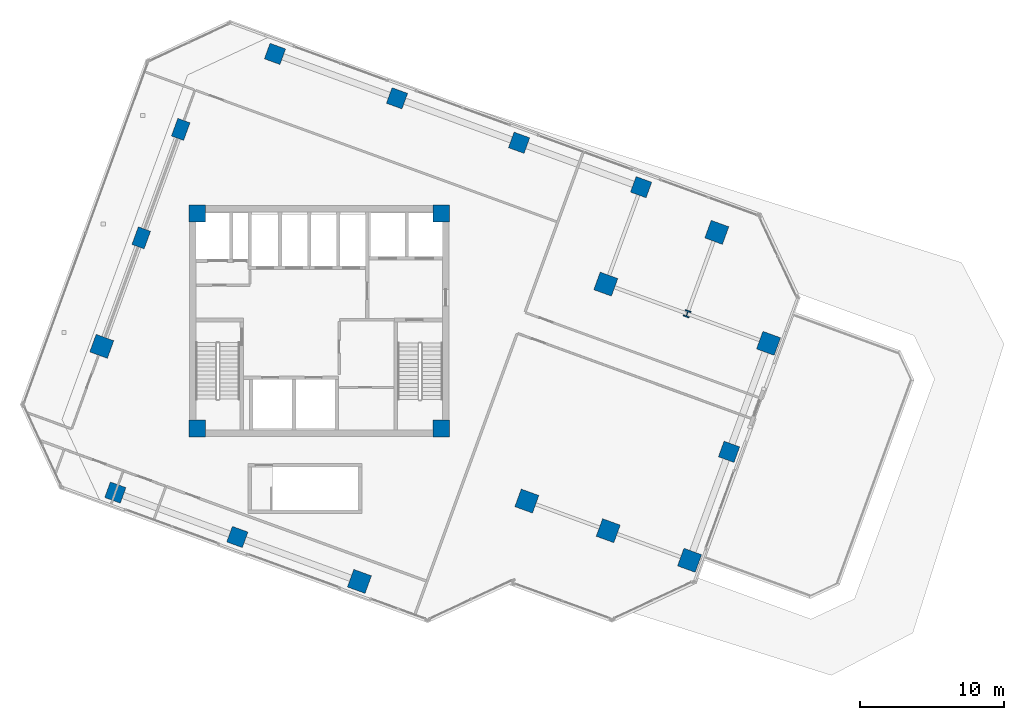
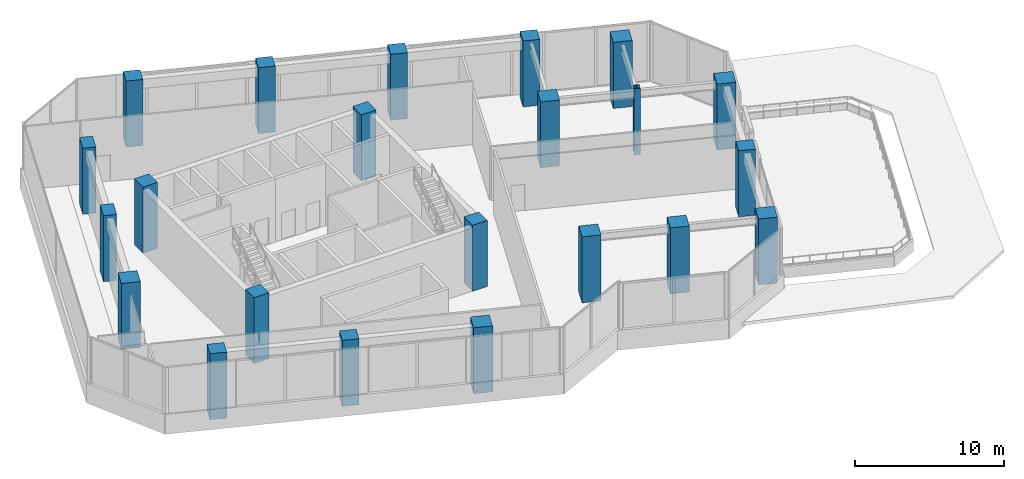
# One storey, part 1 of 21: 22 columns.
"""IFC4 building model written with IfcOpenShell, lengths in metres."""

from ifc_helpers import new_model, si_unit, direction, frame, origin, origin_2d, place, context, subcontext, project, spatial, rectangle, i_section, extrude, source, transform, mapped, material, material_profile, profile_set, type_object, element, save


model = new_model("IFC4")

# Units and contexts
model_context = context("Model", 3, precision=1e-05, world=origin(), true_north=direction((0.0, 1.0)))
body_context = subcontext(model_context, "Body", "Model", "MODEL_VIEW")
ifc_project = project(units=[si_unit("LENGTHUNIT", "METRE"), si_unit("AREAUNIT", "SQUARE_METRE"), si_unit("VOLUMEUNIT", "CUBIC_METRE"), si_unit("PLANEANGLEUNIT", "RADIAN"), si_unit("MASSUNIT", "GRAM", prefix="KILO")], contexts=[model_context])

# Site, building, storey
site_placement = place(None, origin())
site = spatial("IfcSite", under=ifc_project, at=site_placement, CompositionType="ELEMENT")
building_placement = place(site_placement, origin())
building = spatial("IfcBuilding", under=site, at=building_placement, Name="Torre Montelarca", CompositionType="ELEMENT")
storey_placement = place(building_placement, frame((0.0, 0.0, 127.60009765625)))
storey = spatial("IfcBuildingStorey", under=building, at=storey_placement, Name="L28", CompositionType="ELEMENT", Elevation=127.60009765625)

# Columns
ifc_material_1 = material(Name="Concrete C55/67", Category="concrete")
ifc_material_profile_1 = material_profile(ifc_material_1, rectangle(XDim=0.89990234375, YDim=1.300048828125, at=origin_2d()), Name="RC1300X900", Category="concrete")
ifc_profile_set_1 = profile_set([ifc_material_profile_1], Name="Concrete C55/67")
column_type_1 = type_object("IfcColumnType", Name="COL-PIL1300-EXT", PredefinedType="PILASTER", material=ifc_profile_set_1)
shared_shape_1 = source(origin(), body_context, "Body", "SweptSolid", [
    extrude(rectangle(XDim=0.89990234375, YDim=1.300048828125, at=origin_2d()), origin(), (0.0, 0.0, 1.0), 5.3984375),
])
for number, where, z_axis, x_axis, name in (
    (1, (5.666259765625, 37.762939453125, 0.000732421875), (0.0, 0.0, 1.0), (-0.939692620786, 0.342020143326, 0.0), "L28 Column 1W/E"),
    (2, (8.40234375, 45.280517578125, 0.000732421875), (0.0, 0.0, 1.0), (-0.939692620786, 0.342020143326, 0.0), "L28 Column 1W/F"),
):
    element("IfcColumn", number, at=place(storey_placement, frame(where, z_axis=z_axis, x_axis=x_axis)), inside=storey, type_object=column_type_1, Name=name, PredefinedType="PILASTER", context=body_context, shape_type="MappedRepresentation", body=[
        mapped(shared_shape_1, transform((0.0, 0.0, 0.0), scale=1.0)),
    ])
ifc_material_profile_2 = material_profile(ifc_material_1, rectangle(XDim=1.14990234375, YDim=1.14990234375, at=origin_2d()), Name="RC1150X1150", Category="concrete")
ifc_profile_set_2 = profile_set([ifc_material_profile_2], Name="Concrete C55/67")
column_type_2 = type_object("IfcColumnType", Name="COL-RC1150", PredefinedType="COLUMN", material=ifc_profile_set_2)
shared_shape_2 = source(origin(), body_context, "Body", "SweptSolid", [
    extrude(rectangle(XDim=1.14990234375, YDim=1.14990234375, at=origin_2d()), origin(), (0.0, 0.0, 1.0), 5.3984375),
])
for number, where, z_axis, x_axis, name in (
    (3, (9.550048828125, 24.550048828125, 0.000732421875), (0.0, 0.0, 1.0), (1.0, 0.0, 0.0), "L28 Plumb Core Corner Column 2D"),
    (4, (26.449951171875, 24.550048828125, 0.000732421875), (0.0, 0.0, 1.0), (1.0, 0.0, 0.0), "L28 Plumb Core Corner Column 4D"),
    (5, (9.550048828125, 39.449951171875, 0.000732421875), (0.0, 0.0, 1.0), (1.0, 0.0, 0.0), "L28 Plumb Core Corner Column 2F"),
    (6, (26.449951171875, 39.449951171875, 0.000732421875), (0.0, 0.0, 1.0), (1.0, 0.0, 0.0), "L28 Plumb Core Corner Column 4F"),
):
    element("IfcColumn", number, at=place(storey_placement, frame(where, z_axis=z_axis, x_axis=x_axis)), inside=storey, type_object=column_type_2, Name=name, PredefinedType="COLUMN", context=body_context, shape_type="MappedRepresentation", body=[
        mapped(shared_shape_2, transform((0.0, 0.0, 0.0), scale=1.0)),
    ])
ifc_material_2 = material(Name="Concrete C70/85", Category="concrete")
ifc_material_profile_3 = material_profile(ifc_material_2, rectangle(XDim=1.300048828125, YDim=1.300048828125, at=origin_2d()), Name="RC1300X1300", Category="concrete")
ifc_profile_set_3 = profile_set([ifc_material_profile_3], Name="Concrete C70/85")
column_type_3 = type_object("IfcColumnType", Name="COL-RC1300-EXT", PredefinedType="COLUMN", material=ifc_profile_set_3)
shared_shape_3 = source(origin(), body_context, "Body", "SweptSolid", [
    extrude(rectangle(XDim=1.300048828125, YDim=1.300048828125, at=origin_2d()), origin(), (0.0, 0.0, 1.0), 5.3984375),
])
for number, where, z_axis, x_axis, name in (
    (7, (20.78564453125, 13.956298828125, 0.000732421875), (0.0, 0.0, 1.0), (-0.939692620786, 0.342020143326, 0.0), "L28 Column 4/CS"),
    (8, (43.665771484375, 15.4189453125, 0.000732421875), (0.0, 0.0, 1.0), (-0.939692620786, 0.342020143326, 0.0), "L28 Column 7/D"),
    (9, (49.137939453125, 30.4541015625, 0.000732421875), (0.0, 0.0, 1.0), (-0.939692620786, 0.342020143326, 0.0), "L28 Column 7/F"),
    (10, (2.929931640625, 30.24560546875, 0.000732421875), (0.0, 0.0, 1.0), (-0.939692620786, 0.342020143326, 0.0), "L28 Column 1W/D"),
):
    element("IfcColumn", number, at=place(storey_placement, frame(where, z_axis=z_axis, x_axis=x_axis)), inside=storey, type_object=column_type_3, Name=name, PredefinedType="COLUMN", context=body_context, shape_type="MappedRepresentation", body=[
        mapped(shared_shape_3, transform((0.0, 0.0, 0.0), scale=1.0)),
    ])
ifc_material_profile_4 = material_profile(ifc_material_1, rectangle(XDim=1.14990234375, YDim=1.14990234375, at=origin_2d()), Name="RC1150X1150", Category="concrete")
ifc_profile_set_4 = profile_set([ifc_material_profile_4], Name="Concrete C55/67")
column_type_4 = type_object("IfcColumnType", Name="COL-RC1150-EXT", PredefinedType="COLUMN", material=ifc_profile_set_4)
shared_shape_4 = source(origin(), body_context, "Body", "SweptSolid", [
    extrude(rectangle(XDim=1.14990234375, YDim=1.14990234375, at=origin_2d()), origin(), (0.0, 0.0, 1.0), 5.3984375),
])
for number, where, z_axis, x_axis, name in (
    (11, (3.87109375, 20.112548828125, 0.000732421875), (0.0, 0.0, 1.0), (-0.939692620786, 0.342020143326, 0.0), "L28 Column 2/CS"),
    (12, (14.935302734375, 50.51171875, 0.000732421875), (0.0, 0.0, 1.0), (-0.939692620786, 0.342020143326, 0.0), "L28 Column 2/GN"),
    (13, (12.328369140625, 17.034423828125, 0.000732421875), (0.0, 0.0, 1.0), (-0.939692620786, 0.342020143326, 0.0), "L28 Column 3/CS"),
    (14, (23.392578125, 47.433349609375, 0.000732421875), (0.0, 0.0, 1.0), (-0.939692620786, 0.342020143326, 0.0), "L28 Column 3/GN"),
    (15, (31.849853515625, 44.355224609375, 0.000732421875), (0.0, 0.0, 1.0), (-0.939692620786, 0.342020143326, 0.0), "L28 Column 4/GN"),
    (16, (40.30712890625, 41.277099609375, 0.000732421875), (0.0, 0.0, 1.0), (-0.939692620786, 0.342020143326, 0.0), "L28 Column 5/GN"),
    (17, (46.40185546875, 22.9365234375, 0.000732421875), (0.0, 0.0, 1.0), (-0.939692620786, 0.342020143326, 0.0), "L28 Column 7/E"),
):
    element("IfcColumn", number, at=place(storey_placement, frame(where, z_axis=z_axis, x_axis=x_axis)), inside=storey, type_object=column_type_4, Name=name, PredefinedType="COLUMN", context=body_context, shape_type="MappedRepresentation", body=[
        mapped(shared_shape_4, transform((0.0, 0.0, 0.0), scale=1.0)),
    ])
ifc_material_profile_5 = material_profile(ifc_material_2, rectangle(XDim=1.300048828125, YDim=1.300048828125, at=origin_2d()), Name="RC1300X1300", Category="concrete")
ifc_profile_set_5 = profile_set([ifc_material_profile_5], Name="Concrete C70/85")
column_type_5 = type_object("IfcColumnType", Name="COL-RC1300", PredefinedType="COLUMN", material=ifc_profile_set_5)
shared_shape_5 = source(origin(), body_context, "Body", "SweptSolid", [
    extrude(rectangle(XDim=1.300048828125, YDim=1.300048828125, at=origin_2d()), origin(), (0.0, 0.0, 1.0), 5.3984375),
])
for number, where, z_axis, x_axis, name in (
    (18, (32.389404296875, 19.523193359375, 0.000732421875), (0.0, 0.0, 1.0), (-0.939692620786, 0.342020143326, 0.0), "L28 Column 5/D"),
    (19, (37.86181640625, 34.55810546875, 0.000732421875), (0.0, 0.0, 1.0), (-0.939692620786, 0.342020143326, 0.0), "L28 Column 5/F"),
    (20, (38.027587890625, 17.470947265625, 0.000732421875), (0.0, 0.0, 1.0), (-0.939692620786, 0.342020143326, 0.0), "L28 Column 6/D"),
    (21, (45.552001953125, 38.144287109375, 0.000732421875), (0.0, 0.0, 1.0), (-0.939692620786, 0.342020143326, 0.0), "L28 Column 6/G"),
):
    element("IfcColumn", number, at=place(storey_placement, frame(where, z_axis=z_axis, x_axis=x_axis)), inside=storey, type_object=column_type_5, Name=name, PredefinedType="COLUMN", context=body_context, shape_type="MappedRepresentation", body=[
        mapped(shared_shape_5, transform((0.0, 0.0, 0.0), scale=1.0)),
    ])
ifc_material_3 = material(Name="Steel ASTM A992 Grade 50", Category="steel")
ifc_material_profile_6 = material_profile(ifc_material_3, i_section(OverallWidth=0.4208984375, OverallDepth=0.465087890625, WebThickness=0.044921875, FlangeThickness=0.072265625, FilletRadius=0.014892578125, at=origin_2d()), Name="W360X592", Category="steel")
ifc_profile_set_6 = profile_set([ifc_material_profile_6], Name="Steel ASTM A992 Grade 50")
column_type_6 = type_object("IfcColumnType", Name="COL-W360X592", PredefinedType="COLUMN", material=ifc_profile_set_6)
shared_shape_6 = source(origin(), body_context, "Body", "SweptSolid", [
    extrude(i_section(OverallWidth=0.4208984375, OverallDepth=0.465087890625, WebThickness=0.044921875, FlangeThickness=0.072265625, FilletRadius=0.014892578125, at=origin_2d()), origin(), (0.0, 0.0, 1.0), 5.3984375),
])
column_placement = place(storey_placement, frame((43.5, 32.506103515625, 0.000732421875), z_axis=(0.0, 0.0, 1.0), x_axis=(-0.939692620786, 0.342020143326, 0.0)))
element("IfcColumn", 22, at=column_placement, inside=storey, type_object=column_type_6, Name="L28 Column 6/F", PredefinedType="COLUMN", context=body_context, shape_type="MappedRepresentation", body=[
    mapped(shared_shape_6, transform((0.0, 0.0, 0.0), scale=1.0)),
])

save(model, "model.ifc")
